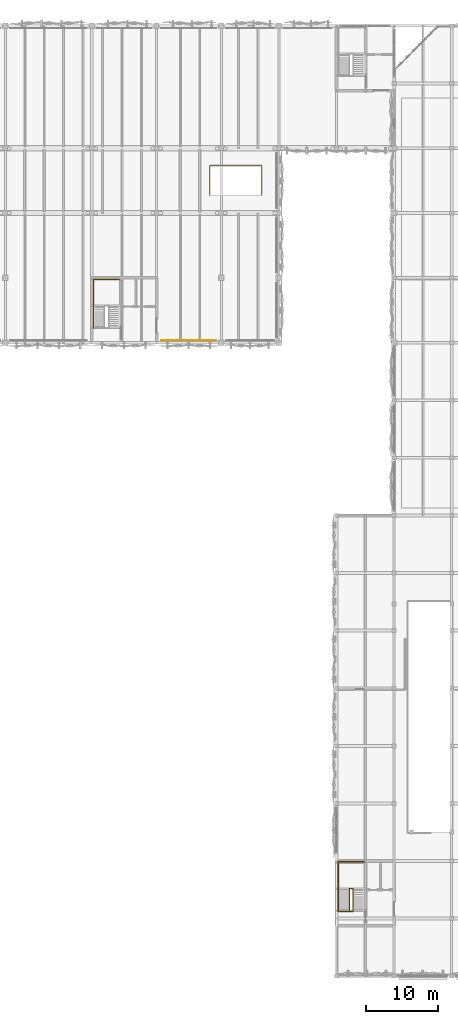
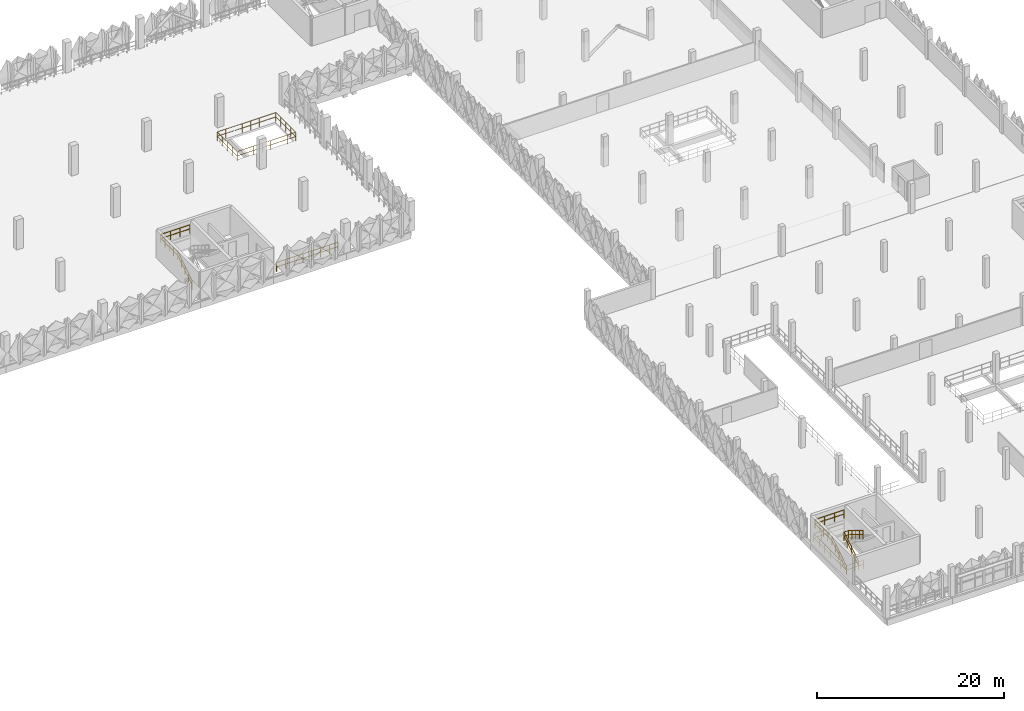
# One storey, part 76 of 83: 6 railings.
"""IFC4 building model written with IfcOpenShell, lengths in metres."""

from ifc_helpers import new_model, si_unit, derived_unit, direction, frame, origin, origin_2d, place, context, subcontext, project, spatial, circle, extrude, material, type_object, element, save


model = new_model("IFC4")

# Units and contexts
model_context = context("Model", 3, precision=1e-05, world=origin(), true_north=direction((0.0, 1.0)))
body_context = subcontext(model_context, "Body", "Model", "MODEL_VIEW")
ifc_project = project(units=[si_unit("LENGTHUNIT", "METRE"), si_unit("AREAUNIT", "SQUARE_METRE"), si_unit("VOLUMEUNIT", "CUBIC_METRE"), si_unit("PLANEANGLEUNIT", "RADIAN"), si_unit("MASSUNIT", "GRAM", prefix="KILO"), si_unit("THERMODYNAMICTEMPERATUREUNIT", "KELVIN"), derived_unit("THERMALTRANSMITTANCEUNIT", [(si_unit("POWERUNIT", "WATT"), 1), (si_unit("AREAUNIT", "SQUARE_METRE"), -1), (si_unit("THERMODYNAMICTEMPERATUREUNIT", "KELVIN"), -1)])], contexts=[model_context])

# Site, building, storey
site_placement = place(None, origin())
site = spatial("IfcSite", under=ifc_project, at=site_placement, CompositionType="ELEMENT")
building_placement = place(site_placement, origin())
building = spatial("IfcBuilding", under=site, at=building_placement, Name="Haiyu Intermodal Mobility Hub", CompositionType="ELEMENT")
storey_placement = place(building_placement, frame((0.0, 0.0, 13.39990234375)))
storey = spatial("IfcBuildingStorey", under=building, at=storey_placement, Name="L03", CompositionType="ELEMENT", Elevation=13.39990234375)

# Railings
ifc_material = material(Name="Steel Q355C", Category="steel")
railing_type_1 = type_object("IfcRailingType", Name="RAL-GR01", PredefinedType="GUARDRAIL", material=ifc_material)
railing_1_placement = place(storey_placement, frame((129.699951171875, 104.340087890625, 0.0)))
element("IfcRailing", 1, at=railing_1_placement, inside=storey, type_object=railing_type_1, Name="RAL-CAR-S-0140", PredefinedType="GUARDRAIL", context=body_context, shape_type="SweptSolid", body=[
    extrude(circle(Radius=0.02392578125, at=origin_2d()), frame((0.030029296875, 0.0, 1.17578125), z_axis=(1.0, 0.0, 0.0), x_axis=(0.0, 1.0, 0.0)), (0.0, 0.0, 1.0), 7.5400390625),
    extrude(circle(Radius=0.02392578125, at=origin_2d()), frame((0.037353515625, 0.0, 0.60009765625), z_axis=(1.0, 0.0, 0.0), x_axis=(0.0, 1.0, 0.0)), (0.0, 0.0, 1.0), 1.01123046875),
    extrude(circle(Radius=0.02392578125, at=origin_2d()), frame((1.123046875, 0.0, 0.60009765625), z_axis=(1.0, 0.0, 0.0), x_axis=(0.0, 1.0, 0.0)), (0.0, 0.0, 1.0), 1.01123046875),
    extrude(circle(Radius=0.02392578125, at=origin_2d()), frame((2.208740234375, 0.0, 0.60009765625), z_axis=(1.0, 0.0, 0.0), x_axis=(0.0, 1.0, 0.0)), (0.0, 0.0, 1.0), 1.01123046875),
    extrude(circle(Radius=0.02392578125, at=origin_2d()), frame((3.29443359375, 0.0, 0.60009765625), z_axis=(1.0, 0.0, 0.0), x_axis=(0.0, 1.0, 0.0)), (0.0, 0.0, 1.0), 1.01123046875),
    extrude(circle(Radius=0.02392578125, at=origin_2d()), frame((4.380126953125, 0.0, 0.60009765625), z_axis=(1.0, 0.0, 0.0), x_axis=(0.0, 1.0, 0.0)), (0.0, 0.0, 1.0), 1.01123046875),
    extrude(circle(Radius=0.02392578125, at=origin_2d()), frame((5.4658203125, 0.0, 0.60009765625), z_axis=(1.0, 0.0, 0.0), x_axis=(0.0, 1.0, 0.0)), (0.0, 0.0, 1.0), 1.01123046875),
    extrude(circle(Radius=0.02392578125, at=origin_2d()), frame((6.5517578125, 0.0, 0.60009765625), z_axis=(1.0, 0.0, 0.0), x_axis=(0.0, 1.0, 0.0)), (0.0, 0.0, 1.0), 1.01123046875),
    extrude(circle(Radius=0.02099609375, at=origin_2d()), origin(), (0.0, 0.0, 1.0), 1.143798828125),
    extrude(circle(Radius=0.02099609375, at=origin_2d()), frame((1.085693359375, 0.0, 0.0)), (0.0, 0.0, 1.0), 1.143798828125),
    extrude(circle(Radius=0.02099609375, at=origin_2d()), frame((2.17138671875, 0.0, 0.0)), (0.0, 0.0, 1.0), 1.143798828125),
    extrude(circle(Radius=0.02099609375, at=origin_2d()), frame((3.257080078125, 0.0, 0.0)), (0.0, 0.0, 1.0), 1.143798828125),
    extrude(circle(Radius=0.02099609375, at=origin_2d()), frame((4.343017578125, 0.0, 0.0)), (0.0, 0.0, 1.0), 1.143798828125),
    extrude(circle(Radius=0.02099609375, at=origin_2d()), frame((5.4287109375, 0.0, 0.0)), (0.0, 0.0, 1.0), 1.143798828125),
    extrude(circle(Radius=0.02099609375, at=origin_2d()), frame((6.514404296875, 0.0, 0.0)), (0.0, 0.0, 1.0), 1.143798828125),
    extrude(circle(Radius=0.02099609375, at=origin_2d()), frame((7.60009765625, 0.0, 0.0)), (0.0, 0.0, 1.0), 1.143798828125),
])
railing_2_placement = place(storey_placement, frame((136.3798828125, 124.3798828125, 0.0)))
element("IfcRailing", 2, at=railing_2_placement, inside=storey, type_object=railing_type_1, Name="RAL-V4VOID-L03-E", PredefinedType="GUARDRAIL", context=body_context, shape_type="SweptSolid", body=[
    extrude(circle(Radius=0.02392578125, at=origin_2d()), frame((0.030029296875, 0.0, 1.15576171875), z_axis=(1.0, 0.0, 0.0), x_axis=(0.0, 1.0, 0.0)), (0.0, 0.0, 1.0), 7.18017578125),
    extrude(circle(Radius=0.02392578125, at=origin_2d()), frame((0.037353515625, 0.0, 0.58984375), z_axis=(1.0, 0.0, 0.0), x_axis=(0.0, 1.0, 0.0)), (0.0, 0.0, 1.0), 0.959716796875),
    extrude(circle(Radius=0.02392578125, at=origin_2d()), frame((1.071533203125, 0.0, 0.58984375), z_axis=(1.0, 0.0, 0.0), x_axis=(0.0, 1.0, 0.0)), (0.0, 0.0, 1.0), 0.959716796875),
    extrude(circle(Radius=0.02392578125, at=origin_2d()), frame((2.10595703125, 0.0, 0.58984375), z_axis=(1.0, 0.0, 0.0), x_axis=(0.0, 1.0, 0.0)), (0.0, 0.0, 1.0), 0.959716796875),
    extrude(circle(Radius=0.02392578125, at=origin_2d()), frame((3.14013671875, 0.0, 0.58984375), z_axis=(1.0, 0.0, 0.0), x_axis=(0.0, 1.0, 0.0)), (0.0, 0.0, 1.0), 0.959716796875),
    extrude(circle(Radius=0.02392578125, at=origin_2d()), frame((4.174560546875, 0.0, 0.58984375), z_axis=(1.0, 0.0, 0.0), x_axis=(0.0, 1.0, 0.0)), (0.0, 0.0, 1.0), 0.959716796875),
    extrude(circle(Radius=0.02392578125, at=origin_2d()), frame((5.208984375, 0.0, 0.58984375), z_axis=(1.0, 0.0, 0.0), x_axis=(0.0, 1.0, 0.0)), (0.0, 0.0, 1.0), 0.959716796875),
    extrude(circle(Radius=0.02392578125, at=origin_2d()), frame((6.2431640625, 0.0, 0.58984375), z_axis=(1.0, 0.0, 0.0), x_axis=(0.0, 1.0, 0.0)), (0.0, 0.0, 1.0), 0.959716796875),
    extrude(circle(Radius=0.02392578125, at=origin_2d()), frame((7.240234375, 0.030029296875, 1.15576171875), z_axis=(0.0, 1.0, 0.0), x_axis=(-1.0, 0.0, 0.0)), (0.0, 0.0, 1.0), 4.18017578125),
    extrude(circle(Radius=0.02392578125, at=origin_2d()), frame((7.240234375, 0.037353515625, 0.58984375), z_axis=(0.0, 1.0, 0.0), x_axis=(-1.0, 0.0, 0.0)), (0.0, 0.0, 1.0), 0.9853515625),
    extrude(circle(Radius=0.02392578125, at=origin_2d()), frame((7.240234375, 1.097412109375, 0.58984375), z_axis=(0.0, 1.0, 0.0), x_axis=(-1.0, 0.0, 0.0)), (0.0, 0.0, 1.0), 0.9853515625),
    extrude(circle(Radius=0.02392578125, at=origin_2d()), frame((7.240234375, 2.157470703125, 0.58984375), z_axis=(0.0, 1.0, 0.0), x_axis=(-1.0, 0.0, 0.0)), (0.0, 0.0, 1.0), 0.9853515625),
    extrude(circle(Radius=0.02392578125, at=origin_2d()), frame((7.240234375, 3.217529296875, 0.58984375), z_axis=(0.0, 1.0, 0.0), x_axis=(-1.0, 0.0, 0.0)), (0.0, 0.0, 1.0), 0.9853515625),
    extrude(circle(Radius=0.02392578125, at=origin_2d()), frame((7.210205078125, 4.240234375, 1.15576171875), z_axis=(-1.0, 0.0, 0.0), x_axis=(0.0, -1.0, 0.0)), (0.0, 0.0, 1.0), 7.18017578125),
    extrude(circle(Radius=0.02392578125, at=origin_2d()), frame((7.202880859375, 4.240234375, 0.58984375), z_axis=(-1.0, 0.0, 0.0), x_axis=(0.0, -1.0, 0.0)), (0.0, 0.0, 1.0), 0.959716796875),
    extrude(circle(Radius=0.02392578125, at=origin_2d()), frame((6.168701171875, 4.240234375, 0.58984375), z_axis=(-1.0, 0.0, 0.0), x_axis=(0.0, -1.0, 0.0)), (0.0, 0.0, 1.0), 0.959716796875),
    extrude(circle(Radius=0.02392578125, at=origin_2d()), frame((5.13427734375, 4.240234375, 0.58984375), z_axis=(-1.0, 0.0, 0.0), x_axis=(0.0, -1.0, 0.0)), (0.0, 0.0, 1.0), 0.959716796875),
    extrude(circle(Radius=0.02392578125, at=origin_2d()), frame((4.10009765625, 4.240234375, 0.58984375), z_axis=(-1.0, 0.0, 0.0), x_axis=(0.0, -1.0, 0.0)), (0.0, 0.0, 1.0), 0.959716796875),
    extrude(circle(Radius=0.02392578125, at=origin_2d()), frame((3.065673828125, 4.240234375, 0.58984375), z_axis=(-1.0, 0.0, 0.0), x_axis=(0.0, -1.0, 0.0)), (0.0, 0.0, 1.0), 0.959716796875),
    extrude(circle(Radius=0.02392578125, at=origin_2d()), frame((2.03125, 4.240234375, 0.58984375), z_axis=(-1.0, 0.0, 0.0), x_axis=(0.0, -1.0, 0.0)), (0.0, 0.0, 1.0), 0.959716796875),
    extrude(circle(Radius=0.02392578125, at=origin_2d()), frame((0.9970703125, 4.240234375, 0.58984375), z_axis=(-1.0, 0.0, 0.0), x_axis=(0.0, -1.0, 0.0)), (0.0, 0.0, 1.0), 0.959716796875),
    extrude(circle(Radius=0.02392578125, at=origin_2d()), frame((0.0, 4.210205078125, 1.15576171875), z_axis=(0.0, -1.0, 0.0), x_axis=(1.0, 0.0, 0.0)), (0.0, 0.0, 1.0), 4.18017578125),
    extrude(circle(Radius=0.02392578125, at=origin_2d()), frame((0.0, 4.202880859375, 0.58984375), z_axis=(0.0, -1.0, 0.0), x_axis=(1.0, 0.0, 0.0)), (0.0, 0.0, 1.0), 0.9853515625),
    extrude(circle(Radius=0.02392578125, at=origin_2d()), frame((0.0, 3.142822265625, 0.58984375), z_axis=(0.0, -1.0, 0.0), x_axis=(1.0, 0.0, 0.0)), (0.0, 0.0, 1.0), 0.9853515625),
    extrude(circle(Radius=0.02392578125, at=origin_2d()), frame((0.0, 2.082763671875, 0.58984375), z_axis=(0.0, -1.0, 0.0), x_axis=(1.0, 0.0, 0.0)), (0.0, 0.0, 1.0), 0.9853515625),
    extrude(circle(Radius=0.02392578125, at=origin_2d()), frame((0.0, 1.022705078125, 0.58984375), z_axis=(0.0, -1.0, 0.0), x_axis=(1.0, 0.0, 0.0)), (0.0, 0.0, 1.0), 0.9853515625),
    extrude(circle(Radius=0.02099609375, at=origin_2d()), origin(), (0.0, 0.0, 1.0), 1.123779296875),
    extrude(circle(Radius=0.02099609375, at=origin_2d()), frame((1.034423828125, 0.0, 0.0)), (0.0, 0.0, 1.0), 1.123779296875),
    extrude(circle(Radius=0.02099609375, at=origin_2d()), frame((2.068603515625, 0.0, 0.0)), (0.0, 0.0, 1.0), 1.123779296875),
    extrude(circle(Radius=0.02099609375, at=origin_2d()), frame((3.10302734375, 0.0, 0.0)), (0.0, 0.0, 1.0), 1.123779296875),
    extrude(circle(Radius=0.02099609375, at=origin_2d()), frame((4.13720703125, 0.0, 0.0)), (0.0, 0.0, 1.0), 1.123779296875),
    extrude(circle(Radius=0.02099609375, at=origin_2d()), frame((5.171630859375, 0.0, 0.0)), (0.0, 0.0, 1.0), 1.123779296875),
    extrude(circle(Radius=0.02099609375, at=origin_2d()), frame((6.205810546875, 0.0, 0.0)), (0.0, 0.0, 1.0), 1.123779296875),
    extrude(circle(Radius=0.02099609375, at=origin_2d()), frame((7.240234375, 0.0, 0.0)), (0.0, 0.0, 1.0), 1.123779296875),
    extrude(circle(Radius=0.02099609375, at=origin_2d()), frame((7.240234375, 1.06005859375, 0.0)), (0.0, 0.0, 1.0), 1.123779296875),
    extrude(circle(Radius=0.02099609375, at=origin_2d()), frame((7.240234375, 2.1201171875, 0.0)), (0.0, 0.0, 1.0), 1.123779296875),
    extrude(circle(Radius=0.02099609375, at=origin_2d()), frame((7.240234375, 3.18017578125, 0.0)), (0.0, 0.0, 1.0), 1.123779296875),
    extrude(circle(Radius=0.02099609375, at=origin_2d()), frame((7.240234375, 4.240234375, 0.0)), (0.0, 0.0, 1.0), 1.123779296875),
    extrude(circle(Radius=0.02099609375, at=origin_2d()), frame((6.205810546875, 4.240234375, 0.0)), (0.0, 0.0, 1.0), 1.123779296875),
    extrude(circle(Radius=0.02099609375, at=origin_2d()), frame((5.171630859375, 4.240234375, 0.0)), (0.0, 0.0, 1.0), 1.123779296875),
    extrude(circle(Radius=0.02099609375, at=origin_2d()), frame((4.13720703125, 4.240234375, 0.0)), (0.0, 0.0, 1.0), 1.123779296875),
    extrude(circle(Radius=0.02099609375, at=origin_2d()), frame((3.10302734375, 4.240234375, 0.0)), (0.0, 0.0, 1.0), 1.123779296875),
    extrude(circle(Radius=0.02099609375, at=origin_2d()), frame((2.068603515625, 4.240234375, 0.0)), (0.0, 0.0, 1.0), 1.123779296875),
    extrude(circle(Radius=0.02099609375, at=origin_2d()), frame((1.034423828125, 4.240234375, 0.0)), (0.0, 0.0, 1.0), 1.123779296875),
    extrude(circle(Radius=0.02099609375, at=origin_2d()), frame((0.0, 4.240234375, 0.0)), (0.0, 0.0, 1.0), 1.123779296875),
    extrude(circle(Radius=0.02099609375, at=origin_2d()), frame((0.0, 3.18017578125, 0.0)), (0.0, 0.0, 1.0), 1.123779296875),
    extrude(circle(Radius=0.02099609375, at=origin_2d()), frame((0.0, 2.1201171875, 0.0)), (0.0, 0.0, 1.0), 1.123779296875),
    extrude(circle(Radius=0.02099609375, at=origin_2d()), frame((0.0, 1.06005859375, 0.0)), (0.0, 0.0, 1.0), 1.123779296875),
])
railing_type_2 = type_object("IfcRailingType", Name="RAL-GR03", PredefinedType="GUARDRAIL", material=ifc_material)
railing_3_placement = place(storey_placement, frame((120.25, 106.050048828125, 0.0)))
element("IfcRailing", 3, at=railing_3_placement, inside=storey, type_object=railing_type_2, Name="Stair Outer Guard STR-C6-L03", PredefinedType="GUARDRAIL", context=body_context, shape_type="SweptSolid", body=[
    extrude(circle(Radius=0.02392578125, at=origin_2d()), frame((0.0, 0.025390625, 1.112060546875), z_axis=(0.0, 0.844864482441, 0.534980379369), x_axis=(-1.0, 0.0, 0.0)), (0.0, 0.0, 1.0), 3.58544921875),
    extrude(circle(Radius=0.02392578125, at=origin_2d()), frame((0.0, 0.031494140625, 0.580078125), z_axis=(0.0, 0.844864482441, 0.534980379369), x_axis=(-1.0, 0.0, 0.0)), (0.0, 0.0, 1.0), 0.836669921875),
    extrude(circle(Radius=0.02392578125, at=origin_2d()), frame((0.0, 0.801513671875, 1.067626953125), z_axis=(0.0, 0.844864482441, 0.534980379369), x_axis=(-1.0, 0.0, 0.0)), (0.0, 0.0, 1.0), 0.836669921875),
    extrude(circle(Radius=0.02392578125, at=origin_2d()), frame((0.0, 1.571533203125, 1.55517578125), z_axis=(0.0, 0.844864482441, 0.534980379369), x_axis=(-1.0, 0.0, 0.0)), (0.0, 0.0, 1.0), 0.836669921875),
    extrude(circle(Radius=0.02392578125, at=origin_2d()), frame((0.0, 2.34130859375, 2.042724609375), z_axis=(0.0, 0.844864482441, 0.534980379369), x_axis=(-1.0, 0.0, 0.0)), (0.0, 0.0, 1.0), 0.836669921875),
    extrude(circle(Radius=0.02392578125, at=origin_2d()), frame((0.0, 3.10986328125, 3.04638671875), z_axis=(0.0, 1.0, 0.0), x_axis=(-1.0, 0.0, 0.0)), (0.0, 0.0, 1.0), 3.570068359375),
    extrude(circle(Radius=0.02392578125, at=origin_2d()), frame((0.0, 3.1171875, 2.51025390625), z_axis=(0.0, 1.0, 0.0), x_axis=(-1.0, 0.0, 0.0)), (0.0, 0.0, 1.0), 0.8330078125),
    extrude(circle(Radius=0.02392578125, at=origin_2d()), frame((0.0, 4.024658203125, 2.51025390625), z_axis=(0.0, 1.0, 0.0), x_axis=(-1.0, 0.0, 0.0)), (0.0, 0.0, 1.0), 0.8330078125),
    extrude(circle(Radius=0.02392578125, at=origin_2d()), frame((0.0, 4.93212890625, 2.51025390625), z_axis=(0.0, 1.0, 0.0), x_axis=(-1.0, 0.0, 0.0)), (0.0, 0.0, 1.0), 0.8330078125),
    extrude(circle(Radius=0.02392578125, at=origin_2d()), frame((0.0, 5.83984375, 2.51025390625), z_axis=(0.0, 1.0, 0.0), x_axis=(-1.0, 0.0, 0.0)), (0.0, 0.0, 1.0), 0.8330078125),
    extrude(circle(Radius=0.02392578125, at=origin_2d()), frame((0.030029296875, 6.7099609375, 3.04638671875), z_axis=(1.0, 0.0, 0.0), x_axis=(0.0, 1.0, 0.0)), (0.0, 0.0, 1.0), 3.52001953125),
    extrude(circle(Radius=0.02392578125, at=origin_2d()), frame((0.037353515625, 6.7099609375, 2.51025390625), z_axis=(1.0, 0.0, 0.0), x_axis=(0.0, 1.0, 0.0)), (0.0, 0.0, 1.0), 1.11865234375),
    extrude(circle(Radius=0.02392578125, at=origin_2d()), frame((1.230712890625, 6.7099609375, 2.51025390625), z_axis=(1.0, 0.0, 0.0), x_axis=(0.0, 1.0, 0.0)), (0.0, 0.0, 1.0), 1.11865234375),
    extrude(circle(Radius=0.02392578125, at=origin_2d()), frame((2.424072265625, 6.7099609375, 2.51025390625), z_axis=(1.0, 0.0, 0.0), x_axis=(0.0, 1.0, 0.0)), (0.0, 0.0, 1.0), 1.11865234375),
    extrude(circle(Radius=0.02099609375, at=origin_2d()), origin(), (0.0, 0.0, 1.0), 1.06396484375),
    extrude(circle(Radius=0.02099609375, at=origin_2d()), frame((0.0, 0.77001953125, 0.487548828125)), (0.0, 0.0, 1.0), 1.06396484375),
    extrude(circle(Radius=0.02099609375, at=origin_2d()), frame((0.0, 1.5400390625, 0.97509765625)), (0.0, 0.0, 1.0), 1.06396484375),
    extrude(circle(Radius=0.02099609375, at=origin_2d()), frame((0.0, 2.309814453125, 1.462646484375)), (0.0, 0.0, 1.0), 1.06396484375),
    extrude(circle(Radius=0.02099609375, at=origin_2d()), frame((0.0, 3.079833984375, 1.9501953125)), (0.0, 0.0, 1.0), 1.06396484375),
    extrude(circle(Radius=0.02099609375, at=origin_2d()), frame((0.0, 3.9873046875, 1.9501953125)), (0.0, 0.0, 1.0), 1.06396484375),
    extrude(circle(Radius=0.02099609375, at=origin_2d()), frame((0.0, 4.89501953125, 1.9501953125)), (0.0, 0.0, 1.0), 1.06396484375),
    extrude(circle(Radius=0.02099609375, at=origin_2d()), frame((0.0, 5.802490234375, 1.9501953125)), (0.0, 0.0, 1.0), 1.06396484375),
    extrude(circle(Radius=0.02099609375, at=origin_2d()), frame((0.0, 6.7099609375, 1.9501953125)), (0.0, 0.0, 1.0), 1.06396484375),
    extrude(circle(Radius=0.02099609375, at=origin_2d()), frame((1.193359375, 6.7099609375, 1.9501953125)), (0.0, 0.0, 1.0), 1.06396484375),
    extrude(circle(Radius=0.02099609375, at=origin_2d()), frame((2.38671875, 6.7099609375, 1.9501953125)), (0.0, 0.0, 1.0), 1.06396484375),
    extrude(circle(Radius=0.02099609375, at=origin_2d()), frame((3.580078125, 6.7099609375, 1.9501953125)), (0.0, 0.0, 1.0), 1.06396484375),
])
railing_4_placement = place(storey_placement, frame((156.31005859375, 25.010009765625, 0.0)))
element("IfcRailing", 4, at=railing_4_placement, inside=storey, type_object=railing_type_2, Name="Stair Shaft Floor Guard STR-C8-L02", PredefinedType="GUARDRAIL", context=body_context, shape_type="SweptSolid", body=[
    extrude(circle(Radius=0.02392578125, at=origin_2d()), frame((-0.030029296875, 0.0, 1.09619140625), z_axis=(-1.0, 0.0, 0.0), x_axis=(0.0, -1.0, 0.0)), (0.0, 0.0, 1.0), 2.030029296875),
    extrude(circle(Radius=0.02392578125, at=origin_2d()), frame((-0.037353515625, 0.0, 0.56005859375), z_axis=(-1.0, 0.0, 0.0), x_axis=(0.0, -1.0, 0.0)), (0.0, 0.0, 1.0), 0.970458984375),
    extrude(circle(Radius=0.02392578125, at=origin_2d()), frame((-1.082275390625, 0.0, 0.56005859375), z_axis=(-1.0, 0.0, 0.0), x_axis=(0.0, -1.0, 0.0)), (0.0, 0.0, 1.0), 0.970458984375),
    extrude(circle(Radius=0.02392578125, at=origin_2d()), frame((-2.090087890625, 0.030029296875, 1.09619140625), z_axis=(0.0, 1.0, 0.0), x_axis=(-1.0, 0.0, 0.0)), (0.0, 0.0, 1.0), 6.8798828125),
    extrude(circle(Radius=0.02392578125, at=origin_2d()), frame((-2.090087890625, 0.037353515625, 0.56005859375), z_axis=(0.0, 1.0, 0.0), x_axis=(-1.0, 0.0, 0.0)), (0.0, 0.0, 1.0), 1.08203125),
    extrude(circle(Radius=0.02392578125, at=origin_2d()), frame((-2.090087890625, 1.19384765625, 0.56005859375), z_axis=(0.0, 1.0, 0.0), x_axis=(-1.0, 0.0, 0.0)), (0.0, 0.0, 1.0), 1.08203125),
    extrude(circle(Radius=0.02392578125, at=origin_2d()), frame((-2.090087890625, 2.3505859375, 0.56005859375), z_axis=(0.0, 1.0, 0.0), x_axis=(-1.0, 0.0, 0.0)), (0.0, 0.0, 1.0), 1.08203125),
    extrude(circle(Radius=0.02392578125, at=origin_2d()), frame((-2.090087890625, 3.50732421875, 0.56005859375), z_axis=(0.0, 1.0, 0.0), x_axis=(-1.0, 0.0, 0.0)), (0.0, 0.0, 1.0), 1.08203125),
    extrude(circle(Radius=0.02392578125, at=origin_2d()), frame((-2.090087890625, 4.663818359375, 0.56005859375), z_axis=(0.0, 1.0, 0.0), x_axis=(-1.0, 0.0, 0.0)), (0.0, 0.0, 1.0), 1.08203125),
    extrude(circle(Radius=0.02392578125, at=origin_2d()), frame((-2.090087890625, 5.820556640625, 0.56005859375), z_axis=(0.0, 1.0, 0.0), x_axis=(-1.0, 0.0, 0.0)), (0.0, 0.0, 1.0), 1.08203125),
    extrude(circle(Radius=0.02392578125, at=origin_2d()), frame((-2.06005859375, 6.93994140625, 1.09619140625), z_axis=(1.0, 0.0, 0.0), x_axis=(0.0, 1.0, 0.0)), (0.0, 0.0, 1.0), 3.590087890625),
    extrude(circle(Radius=0.02392578125, at=origin_2d()), frame((-2.052734375, 6.93994140625, 0.56005859375), z_axis=(1.0, 0.0, 0.0), x_axis=(0.0, 1.0, 0.0)), (0.0, 0.0, 1.0), 0.837890625),
    extrude(circle(Radius=0.02392578125, at=origin_2d()), frame((-1.14013671875, 6.93994140625, 0.56005859375), z_axis=(1.0, 0.0, 0.0), x_axis=(0.0, 1.0, 0.0)), (0.0, 0.0, 1.0), 0.837890625),
    extrude(circle(Radius=0.02392578125, at=origin_2d()), frame((-0.227783203125, 6.93994140625, 0.56005859375), z_axis=(1.0, 0.0, 0.0), x_axis=(0.0, 1.0, 0.0)), (0.0, 0.0, 1.0), 0.837890625),
    extrude(circle(Radius=0.02392578125, at=origin_2d()), frame((0.684814453125, 6.93994140625, 0.56005859375), z_axis=(1.0, 0.0, 0.0), x_axis=(0.0, 1.0, 0.0)), (0.0, 0.0, 1.0), 0.837890625),
    extrude(circle(Radius=0.02099609375, at=origin_2d()), origin(), (0.0, 0.0, 1.0), 1.06396484375),
    extrude(circle(Radius=0.02099609375, at=origin_2d()), frame((-1.044921875, 0.0, 0.0)), (0.0, 0.0, 1.0), 1.06396484375),
    extrude(circle(Radius=0.02099609375, at=origin_2d()), frame((-2.090087890625, 0.0, 0.0)), (0.0, 0.0, 1.0), 1.06396484375),
    extrude(circle(Radius=0.02099609375, at=origin_2d()), frame((-2.090087890625, 1.15673828125, 0.0)), (0.0, 0.0, 1.0), 1.06396484375),
    extrude(circle(Radius=0.02099609375, at=origin_2d()), frame((-2.090087890625, 2.313232421875, 0.0)), (0.0, 0.0, 1.0), 1.06396484375),
    extrude(circle(Radius=0.02099609375, at=origin_2d()), frame((-2.090087890625, 3.469970703125, 0.0)), (0.0, 0.0, 1.0), 1.06396484375),
    extrude(circle(Radius=0.02099609375, at=origin_2d()), frame((-2.090087890625, 4.626708984375, 0.0)), (0.0, 0.0, 1.0), 1.06396484375),
    extrude(circle(Radius=0.02099609375, at=origin_2d()), frame((-2.090087890625, 5.783203125, 0.0)), (0.0, 0.0, 1.0), 1.06396484375),
    extrude(circle(Radius=0.02099609375, at=origin_2d()), frame((-2.090087890625, 6.93994140625, 0.0)), (0.0, 0.0, 1.0), 1.06396484375),
    extrude(circle(Radius=0.02099609375, at=origin_2d()), frame((-1.177490234375, 6.93994140625, 0.0)), (0.0, 0.0, 1.0), 1.06396484375),
    extrude(circle(Radius=0.02099609375, at=origin_2d()), frame((-0.26513671875, 6.93994140625, 0.0)), (0.0, 0.0, 1.0), 1.06396484375),
    extrude(circle(Radius=0.02099609375, at=origin_2d()), frame((0.6474609375, 6.93994140625, 0.0)), (0.0, 0.0, 1.0), 1.06396484375),
    extrude(circle(Radius=0.02099609375, at=origin_2d()), frame((1.56005859375, 6.93994140625, 0.0)), (0.0, 0.0, 1.0), 1.06396484375),
])
railing_5_placement = place(storey_placement, frame((155.780029296875, 25.050048828125, 0.0)))
element("IfcRailing", 5, at=railing_5_placement, inside=storey, type_object=railing_type_2, Name="Stair Well Guard STR-C8-L03", PredefinedType="GUARDRAIL", context=body_context, shape_type="SweptSolid", body=[
    extrude(circle(Radius=0.02392578125, at=origin_2d()), frame((0.0, 0.025390625, 1.11181640625), z_axis=(0.0, 0.84872648218, 0.528832070176), x_axis=(-1.0, 0.0, 0.0)), (0.0, 0.0, 1.0), 3.627685546875),
    extrude(circle(Radius=0.02392578125, at=origin_2d()), frame((0.0, 0.03173828125, 0.579833984375), z_axis=(0.0, 0.84872648218, 0.528832070176), x_axis=(-1.0, 0.0, 0.0)), (0.0, 0.0, 1.0), 0.847412109375),
    extrude(circle(Radius=0.02392578125, at=origin_2d()), frame((0.0, 0.814208984375, 1.0673828125), z_axis=(0.0, 0.84872648218, 0.528832070176), x_axis=(-1.0, 0.0, 0.0)), (0.0, 0.0, 1.0), 0.847412109375),
    extrude(circle(Radius=0.02392578125, at=origin_2d()), frame((0.0, 1.5966796875, 1.554931640625), z_axis=(0.0, 0.84872648218, 0.528832070176), x_axis=(-1.0, 0.0, 0.0)), (0.0, 0.0, 1.0), 0.847412109375),
    extrude(circle(Radius=0.02392578125, at=origin_2d()), frame((0.0, 2.379150390625, 2.04248046875), z_axis=(0.0, 0.84872648218, 0.528832070176), x_axis=(-1.0, 0.0, 0.0)), (0.0, 0.0, 1.0), 0.847412109375),
    extrude(circle(Radius=0.02392578125, at=origin_2d()), frame((0.030029296875, 3.1298828125, 3.04638671875), z_axis=(1.0, 0.0, 0.0), x_axis=(0.0, 1.0, 0.0)), (0.0, 0.0, 1.0), 0.469970703125),
    extrude(circle(Radius=0.02392578125, at=origin_2d()), frame((0.037353515625, 3.1298828125, 2.51025390625), z_axis=(1.0, 0.0, 0.0), x_axis=(0.0, 1.0, 0.0)), (0.0, 0.0, 1.0), 0.455322265625),
    extrude(circle(Radius=0.02392578125, at=origin_2d()), frame((0.530029296875, 3.1044921875, 3.06201171875), z_axis=(0.0, -0.848756196164, 0.528784378999), x_axis=(1.0, 0.0, 0.0)), (0.0, 0.0, 1.0), 3.627685546875),
    extrude(circle(Radius=0.02392578125, at=origin_2d()), frame((0.530029296875, 3.09814453125, 2.530029296875), z_axis=(0.0, -0.848756196164, 0.528784378999), x_axis=(1.0, 0.0, 0.0)), (0.0, 0.0, 1.0), 0.847412109375),
    extrude(circle(Radius=0.02392578125, at=origin_2d()), frame((0.530029296875, 2.315673828125, 3.017578125), z_axis=(0.0, -0.848756196164, 0.528784378999), x_axis=(1.0, 0.0, 0.0)), (0.0, 0.0, 1.0), 0.847412109375),
    extrude(circle(Radius=0.02392578125, at=origin_2d()), frame((0.530029296875, 1.533203125, 3.5048828125), z_axis=(0.0, -0.848756196164, 0.528784378999), x_axis=(1.0, 0.0, 0.0)), (0.0, 0.0, 1.0), 0.847412109375),
    extrude(circle(Radius=0.02392578125, at=origin_2d()), frame((0.530029296875, 0.750732421875, 3.992431640625), z_axis=(0.0, -0.848756196164, 0.528784378999), x_axis=(1.0, 0.0, 0.0)), (0.0, 0.0, 1.0), 0.847412109375),
    extrude(circle(Radius=0.02099609375, at=origin_2d()), origin(), (0.0, 0.0, 1.0), 1.06396484375),
    extrude(circle(Radius=0.02099609375, at=origin_2d()), frame((0.0, 0.782470703125, 0.487548828125)), (0.0, 0.0, 1.0), 1.06396484375),
    extrude(circle(Radius=0.02099609375, at=origin_2d()), frame((0.0, 1.56494140625, 0.97509765625)), (0.0, 0.0, 1.0), 1.06396484375),
    extrude(circle(Radius=0.02099609375, at=origin_2d()), frame((0.0, 2.347412109375, 1.462646484375)), (0.0, 0.0, 1.0), 1.06396484375),
    extrude(circle(Radius=0.02099609375, at=origin_2d()), frame((0.0, 3.1298828125, 1.9501953125)), (0.0, 0.0, 1.0), 1.06396484375),
    extrude(circle(Radius=0.02099609375, at=origin_2d()), frame((0.530029296875, 3.1298828125, 1.9501953125)), (0.0, 0.0, 1.0), 1.06396484375),
    extrude(circle(Radius=0.02099609375, at=origin_2d()), frame((0.530029296875, 2.347412109375, 2.437744140625)), (0.0, 0.0, 1.0), 1.06396484375),
    extrude(circle(Radius=0.02099609375, at=origin_2d()), frame((0.530029296875, 1.56494140625, 2.92529296875)), (0.0, 0.0, 1.0), 1.06396484375),
    extrude(circle(Radius=0.02099609375, at=origin_2d()), frame((0.530029296875, 0.782470703125, 3.41259765625)), (0.0, 0.0, 1.0), 1.06396484375),
    extrude(circle(Radius=0.02099609375, at=origin_2d()), frame((0.530029296875, 0.0, 3.900146484375)), (0.0, 0.0, 1.0), 1.06396484375),
])
railing_6_placement = place(storey_placement, frame((154.25, 25.050048828125, 0.0)))
element("IfcRailing", 6, at=railing_6_placement, inside=storey, type_object=railing_type_2, Name="Stair Outer Guard STR-C8-L03", PredefinedType="GUARDRAIL", context=body_context, shape_type="SweptSolid", body=[
    extrude(circle(Radius=0.02392578125, at=origin_2d()), frame((0.0, 0.025390625, 1.112060546875), z_axis=(0.0, 0.844864482441, 0.534980379369), x_axis=(-1.0, 0.0, 0.0)), (0.0, 0.0, 1.0), 3.58544921875),
    extrude(circle(Radius=0.02392578125, at=origin_2d()), frame((0.0, 0.031494140625, 0.580078125), z_axis=(0.0, 0.844864482441, 0.534980379369), x_axis=(-1.0, 0.0, 0.0)), (0.0, 0.0, 1.0), 0.836669921875),
    extrude(circle(Radius=0.02392578125, at=origin_2d()), frame((0.0, 0.801513671875, 1.067626953125), z_axis=(0.0, 0.844864482441, 0.534980379369), x_axis=(-1.0, 0.0, 0.0)), (0.0, 0.0, 1.0), 0.836669921875),
    extrude(circle(Radius=0.02392578125, at=origin_2d()), frame((0.0, 1.571533203125, 1.55517578125), z_axis=(0.0, 0.844864482441, 0.534980379369), x_axis=(-1.0, 0.0, 0.0)), (0.0, 0.0, 1.0), 0.836669921875),
    extrude(circle(Radius=0.02392578125, at=origin_2d()), frame((0.0, 2.34130859375, 2.042724609375), z_axis=(0.0, 0.844864482441, 0.534980379369), x_axis=(-1.0, 0.0, 0.0)), (0.0, 0.0, 1.0), 0.836669921875),
    extrude(circle(Radius=0.02392578125, at=origin_2d()), frame((0.0, 3.10986328125, 3.04638671875), z_axis=(0.0, 1.0, 0.0), x_axis=(-1.0, 0.0, 0.0)), (0.0, 0.0, 1.0), 3.570068359375),
    extrude(circle(Radius=0.02392578125, at=origin_2d()), frame((0.0, 3.1171875, 2.51025390625), z_axis=(0.0, 1.0, 0.0), x_axis=(-1.0, 0.0, 0.0)), (0.0, 0.0, 1.0), 0.8330078125),
    extrude(circle(Radius=0.02392578125, at=origin_2d()), frame((0.0, 4.024658203125, 2.51025390625), z_axis=(0.0, 1.0, 0.0), x_axis=(-1.0, 0.0, 0.0)), (0.0, 0.0, 1.0), 0.8330078125),
    extrude(circle(Radius=0.02392578125, at=origin_2d()), frame((0.0, 4.93212890625, 2.51025390625), z_axis=(0.0, 1.0, 0.0), x_axis=(-1.0, 0.0, 0.0)), (0.0, 0.0, 1.0), 0.8330078125),
    extrude(circle(Radius=0.02392578125, at=origin_2d()), frame((0.0, 5.83984375, 2.51025390625), z_axis=(0.0, 1.0, 0.0), x_axis=(-1.0, 0.0, 0.0)), (0.0, 0.0, 1.0), 0.8330078125),
    extrude(circle(Radius=0.02392578125, at=origin_2d()), frame((0.030029296875, 6.7099609375, 3.04638671875), z_axis=(1.0, 0.0, 0.0), x_axis=(0.0, 1.0, 0.0)), (0.0, 0.0, 1.0), 3.52001953125),
    extrude(circle(Radius=0.02392578125, at=origin_2d()), frame((0.037353515625, 6.7099609375, 2.51025390625), z_axis=(1.0, 0.0, 0.0), x_axis=(0.0, 1.0, 0.0)), (0.0, 0.0, 1.0), 1.11865234375),
    extrude(circle(Radius=0.02392578125, at=origin_2d()), frame((1.230712890625, 6.7099609375, 2.51025390625), z_axis=(1.0, 0.0, 0.0), x_axis=(0.0, 1.0, 0.0)), (0.0, 0.0, 1.0), 1.11865234375),
    extrude(circle(Radius=0.02392578125, at=origin_2d()), frame((2.424072265625, 6.7099609375, 2.51025390625), z_axis=(1.0, 0.0, 0.0), x_axis=(0.0, 1.0, 0.0)), (0.0, 0.0, 1.0), 1.11865234375),
    extrude(circle(Radius=0.02099609375, at=origin_2d()), origin(), (0.0, 0.0, 1.0), 1.06396484375),
    extrude(circle(Radius=0.02099609375, at=origin_2d()), frame((0.0, 0.77001953125, 0.487548828125)), (0.0, 0.0, 1.0), 1.06396484375),
    extrude(circle(Radius=0.02099609375, at=origin_2d()), frame((0.0, 1.5400390625, 0.97509765625)), (0.0, 0.0, 1.0), 1.06396484375),
    extrude(circle(Radius=0.02099609375, at=origin_2d()), frame((0.0, 2.309814453125, 1.462646484375)), (0.0, 0.0, 1.0), 1.06396484375),
    extrude(circle(Radius=0.02099609375, at=origin_2d()), frame((0.0, 3.079833984375, 1.9501953125)), (0.0, 0.0, 1.0), 1.06396484375),
    extrude(circle(Radius=0.02099609375, at=origin_2d()), frame((0.0, 3.9873046875, 1.9501953125)), (0.0, 0.0, 1.0), 1.06396484375),
    extrude(circle(Radius=0.02099609375, at=origin_2d()), frame((0.0, 4.89501953125, 1.9501953125)), (0.0, 0.0, 1.0), 1.06396484375),
    extrude(circle(Radius=0.02099609375, at=origin_2d()), frame((0.0, 5.802490234375, 1.9501953125)), (0.0, 0.0, 1.0), 1.06396484375),
    extrude(circle(Radius=0.02099609375, at=origin_2d()), frame((0.0, 6.7099609375, 1.9501953125)), (0.0, 0.0, 1.0), 1.06396484375),
    extrude(circle(Radius=0.02099609375, at=origin_2d()), frame((1.193359375, 6.7099609375, 1.9501953125)), (0.0, 0.0, 1.0), 1.06396484375),
    extrude(circle(Radius=0.02099609375, at=origin_2d()), frame((2.38671875, 6.7099609375, 1.9501953125)), (0.0, 0.0, 1.0), 1.06396484375),
    extrude(circle(Radius=0.02099609375, at=origin_2d()), frame((3.580078125, 6.7099609375, 1.9501953125)), (0.0, 0.0, 1.0), 1.06396484375),
])

save(model, "model.ifc")
